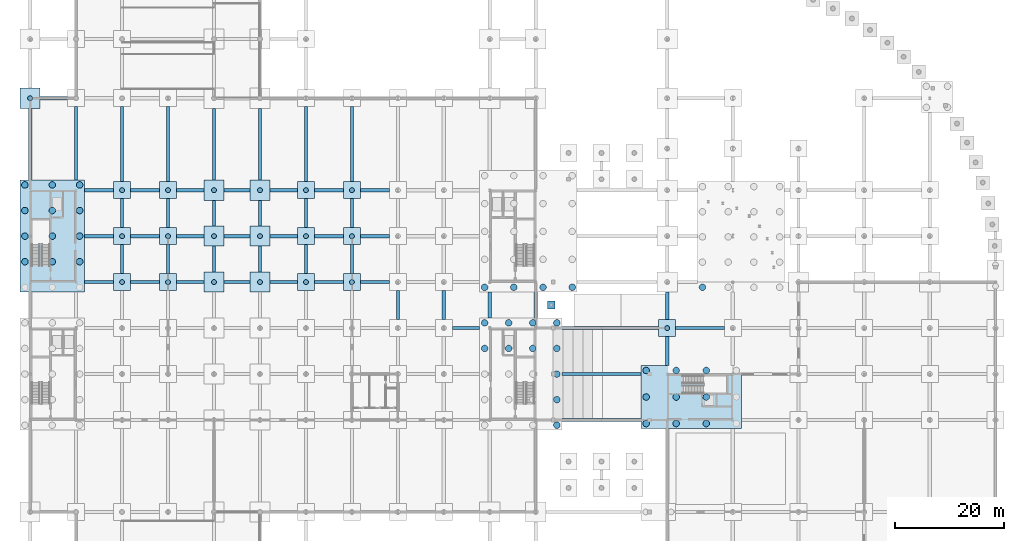
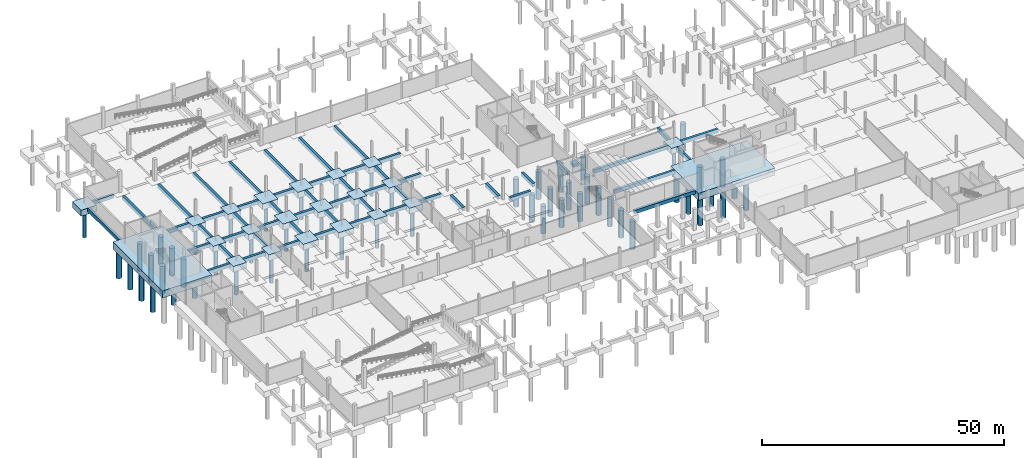
# One storey, part 3 of 36: 76 footings, 57 piles.
"""IFC4 building model written with IfcOpenShell, lengths in metres."""

from ifc_helpers import new_model, si_unit, direction, frame, origin, origin_2d, place, context, subcontext, project, spatial, rectangle, circle, extrude, material, material_profile, profile_set, type_object, element, save


model = new_model("IFC4")

# Units and contexts
model_context = context("Model", 3, precision=1e-05, world=origin(), true_north=direction((0.0, 1.0)))
body_context = subcontext(model_context, "Body", "Model", "MODEL_VIEW")
ifc_project = project(units=[si_unit("LENGTHUNIT", "METRE"), si_unit("AREAUNIT", "SQUARE_METRE"), si_unit("VOLUMEUNIT", "CUBIC_METRE"), si_unit("PLANEANGLEUNIT", "RADIAN"), si_unit("MASSUNIT", "GRAM", prefix="KILO"), si_unit("THERMODYNAMICTEMPERATUREUNIT", "KELVIN"), si_unit("POWERUNIT", "WATT")], contexts=[model_context])

# Site, building, storey
site_placement = place(None, origin())
site = spatial("IfcSite", under=ifc_project, at=site_placement, CompositionType="ELEMENT")
building_placement = place(site_placement, origin())
building = spatial("IfcBuilding", under=site, at=building_placement, Name="Tembeka Court Mobility Hub", CompositionType="ELEMENT")
storey_placement = place(building_placement, frame((0.0, 0.0, -5.39990234375)))
storey = spatial("IfcBuildingStorey", under=building, at=storey_placement, Name="B1", CompositionType="ELEMENT", Elevation=-5.39990234375)

# Footings
ifc_material = material(Name="Concrete C40/50", Category="concrete")
footing_type_1 = type_object("IfcFootingType", Name="FT-GB01", PredefinedType="FOOTING_BEAM", material=ifc_material)
for number, where, z_axis, x_axis, name in (
    (1, (104.39990234375, 38.39990234375, -0.900146484375), (0.0, 0.0, 1.0), (1.0, 0.0, 0.0), "Ground tie beam GB01 X-052"),
    (2, (104.39990234375, 46.800048828125, -0.900146484375), (0.0, 0.0, 1.0), (1.0, 0.0, 0.0), "Ground tie beam GB01 X-066"),
):
    element("IfcFooting", number, at=place(storey_placement, frame(where, z_axis=z_axis, x_axis=x_axis)), inside=storey, type_object=footing_type_1, Name=name, PredefinedType="FOOTING_BEAM", context=body_context, shape_type="SweptSolid", body=[
        extrude(rectangle(XDim=14.5, YDim=0.60009765625, at=origin_2d()), origin(), (0.0, 0.0, 1.0), 0.89990234375),
    ])
footing_1_placement = place(storey_placement, frame((79.64990234375, 55.199951171875, -0.900146484375), z_axis=(0.0, 0.0, 1.0), x_axis=(1.0, 0.0, 0.0)))
element("IfcFooting", 3, at=footing_1_placement, inside=storey, type_object=footing_type_1, Name="Ground tie beam GB01 X-079", PredefinedType="FOOTING_BEAM", context=body_context, shape_type="SweptSolid", body=[
    extrude(rectangle(XDim=5.0, YDim=0.60009765625, at=origin_2d()), origin(), (0.0, 0.0, 1.0), 0.89990234375),
])
footing_2_placement = place(storey_placement, frame((106.0, 55.199951171875, -0.900146484375), z_axis=(0.0, 0.0, 1.0), x_axis=(1.0, 0.0, 0.0)))
element("IfcFooting", 4, at=footing_2_placement, inside=storey, type_object=footing_type_1, Name="Ground tie beam GB01 X-080", PredefinedType="FOOTING_BEAM", context=body_context, shape_type="SweptSolid", body=[
    extrude(rectangle(XDim=17.699951171875, YDim=0.60009765625, at=origin_2d()), origin(), (0.0, 0.0, 1.0), 0.89990234375),
])
footing_3_placement = place(storey_placement, frame((122.39990234375, 55.199951171875, -0.900146484375), z_axis=(0.0, 0.0, 1.0), x_axis=(1.0, 0.0, 0.0)))
element("IfcFooting", 5, at=footing_3_placement, inside=storey, type_object=footing_type_1, Name="Ground tie beam GB01 X-081", PredefinedType="FOOTING_BEAM", context=body_context, shape_type="SweptSolid", body=[
    extrude(rectangle(XDim=8.89990234375, YDim=0.60009765625, at=origin_2d()), origin(), (0.0, 0.0, 1.0), 0.89990234375),
])
for number, where, z_axis, x_axis, name in (
    (6, (12.60009765625, 63.60009765625, -0.900146484375), (0.0, 0.0, 1.0), (1.0, 0.0, 0.0), "Ground tie beam GB01 X-086"),
    (7, (21.0, 63.60009765625, -0.900146484375), (0.0, 0.0, 1.0), (1.0, 0.0, 0.0), "Ground tie beam GB01 X-087"),
):
    element("IfcFooting", number, at=place(storey_placement, frame(where, z_axis=z_axis, x_axis=x_axis)), inside=storey, type_object=footing_type_1, Name=name, PredefinedType="FOOTING_BEAM", context=body_context, shape_type="SweptSolid", body=[
        extrude(rectangle(XDim=5.300048828125, YDim=0.60009765625, at=origin_2d()), origin(), (0.0, 0.0, 1.0), 0.89990234375),
    ])
footing_4_placement = place(storey_placement, frame((29.25, 63.60009765625, -0.900146484375), z_axis=(0.0, 0.0, 1.0), x_axis=(1.0, 0.0, 0.0)))
element("IfcFooting", 8, at=footing_4_placement, inside=storey, type_object=footing_type_1, Name="Ground tie beam GB01 X-088", PredefinedType="FOOTING_BEAM", context=body_context, shape_type="SweptSolid", body=[
    extrude(rectangle(XDim=5.0, YDim=0.60009765625, at=origin_2d()), origin(), (0.0, 0.0, 1.0), 0.89990234375),
])
footing_5_placement = place(storey_placement, frame((37.800048828125, 63.60009765625, -0.900146484375), z_axis=(0.0, 0.0, 1.0), x_axis=(1.0, 0.0, 0.0)))
element("IfcFooting", 9, at=footing_5_placement, inside=storey, type_object=footing_type_1, Name="Ground tie beam GB01 X-089", PredefinedType="FOOTING_BEAM", context=body_context, shape_type="SweptSolid", body=[
    extrude(rectangle(XDim=4.699951171875, YDim=0.60009765625, at=origin_2d()), origin(), (0.0, 0.0, 1.0), 0.89990234375),
])
footing_6_placement = place(storey_placement, frame((46.35009765625, 63.60009765625, -0.900146484375), z_axis=(0.0, 0.0, 1.0), x_axis=(1.0, 0.0, 0.0)))
element("IfcFooting", 10, at=footing_6_placement, inside=storey, type_object=footing_type_1, Name="Ground tie beam GB01 X-090", PredefinedType="FOOTING_BEAM", context=body_context, shape_type="SweptSolid", body=[
    extrude(rectangle(XDim=5.0, YDim=0.60009765625, at=origin_2d()), origin(), (0.0, 0.0, 1.0), 0.89990234375),
])
for number, where, z_axis, x_axis, name in (
    (11, (54.60009765625, 63.60009765625, -0.900146484375), (0.0, 0.0, 1.0), (1.0, 0.0, 0.0), "Ground tie beam GB01 X-091"),
    (12, (63.0, 63.60009765625, -0.900146484375), (0.0, 0.0, 1.0), (1.0, 0.0, 0.0), "Ground tie beam GB01 X-092"),
    (13, (12.60009765625, 72.0, -0.900146484375), (0.0, 0.0, 1.0), (1.0, 0.0, 0.0), "Ground tie beam GB01 X-100"),
    (14, (21.0, 72.0, -0.900146484375), (0.0, 0.0, 1.0), (1.0, 0.0, 0.0), "Ground tie beam GB01 X-101"),
):
    element("IfcFooting", number, at=place(storey_placement, frame(where, z_axis=z_axis, x_axis=x_axis)), inside=storey, type_object=footing_type_1, Name=name, PredefinedType="FOOTING_BEAM", context=body_context, shape_type="SweptSolid", body=[
        extrude(rectangle(XDim=5.300048828125, YDim=0.60009765625, at=origin_2d()), origin(), (0.0, 0.0, 1.0), 0.89990234375),
    ])
footing_7_placement = place(storey_placement, frame((29.25, 72.0, -0.900146484375), z_axis=(0.0, 0.0, 1.0), x_axis=(1.0, 0.0, 0.0)))
element("IfcFooting", 15, at=footing_7_placement, inside=storey, type_object=footing_type_1, Name="Ground tie beam GB01 X-102", PredefinedType="FOOTING_BEAM", context=body_context, shape_type="SweptSolid", body=[
    extrude(rectangle(XDim=5.0, YDim=0.60009765625, at=origin_2d()), origin(), (0.0, 0.0, 1.0), 0.89990234375),
])
footing_8_placement = place(storey_placement, frame((37.800048828125, 72.0, -0.900146484375), z_axis=(0.0, 0.0, 1.0), x_axis=(1.0, 0.0, 0.0)))
element("IfcFooting", 16, at=footing_8_placement, inside=storey, type_object=footing_type_1, Name="Ground tie beam GB01 X-103", PredefinedType="FOOTING_BEAM", context=body_context, shape_type="SweptSolid", body=[
    extrude(rectangle(XDim=4.699951171875, YDim=0.60009765625, at=origin_2d()), origin(), (0.0, 0.0, 1.0), 0.89990234375),
])
footing_9_placement = place(storey_placement, frame((46.35009765625, 72.0, -0.900146484375), z_axis=(0.0, 0.0, 1.0), x_axis=(1.0, 0.0, 0.0)))
element("IfcFooting", 17, at=footing_9_placement, inside=storey, type_object=footing_type_1, Name="Ground tie beam GB01 X-104", PredefinedType="FOOTING_BEAM", context=body_context, shape_type="SweptSolid", body=[
    extrude(rectangle(XDim=5.0, YDim=0.60009765625, at=origin_2d()), origin(), (0.0, 0.0, 1.0), 0.89990234375),
])
for number, where, z_axis, x_axis, name in (
    (18, (54.60009765625, 72.0, -0.900146484375), (0.0, 0.0, 1.0), (1.0, 0.0, 0.0), "Ground tie beam GB01 X-105"),
    (19, (63.0, 72.0, -0.900146484375), (0.0, 0.0, 1.0), (1.0, 0.0, 0.0), "Ground tie beam GB01 X-106"),
    (20, (12.60009765625, 80.39990234375, -0.900146484375), (0.0, 0.0, 1.0), (1.0, 0.0, 0.0), "Ground tie beam GB01 X-114"),
    (21, (21.0, 80.39990234375, -0.900146484375), (0.0, 0.0, 1.0), (1.0, 0.0, 0.0), "Ground tie beam GB01 X-115"),
):
    element("IfcFooting", number, at=place(storey_placement, frame(where, z_axis=z_axis, x_axis=x_axis)), inside=storey, type_object=footing_type_1, Name=name, PredefinedType="FOOTING_BEAM", context=body_context, shape_type="SweptSolid", body=[
        extrude(rectangle(XDim=5.300048828125, YDim=0.60009765625, at=origin_2d()), origin(), (0.0, 0.0, 1.0), 0.89990234375),
    ])
footing_10_placement = place(storey_placement, frame((29.25, 80.39990234375, -0.900146484375), z_axis=(0.0, 0.0, 1.0), x_axis=(1.0, 0.0, 0.0)))
element("IfcFooting", 22, at=footing_10_placement, inside=storey, type_object=footing_type_1, Name="Ground tie beam GB01 X-116", PredefinedType="FOOTING_BEAM", context=body_context, shape_type="SweptSolid", body=[
    extrude(rectangle(XDim=5.0, YDim=0.60009765625, at=origin_2d()), origin(), (0.0, 0.0, 1.0), 0.89990234375),
])
footing_11_placement = place(storey_placement, frame((37.800048828125, 80.39990234375, -0.900146484375), z_axis=(0.0, 0.0, 1.0), x_axis=(1.0, 0.0, 0.0)))
element("IfcFooting", 23, at=footing_11_placement, inside=storey, type_object=footing_type_1, Name="Ground tie beam GB01 X-117", PredefinedType="FOOTING_BEAM", context=body_context, shape_type="SweptSolid", body=[
    extrude(rectangle(XDim=4.699951171875, YDim=0.60009765625, at=origin_2d()), origin(), (0.0, 0.0, 1.0), 0.89990234375),
])
footing_12_placement = place(storey_placement, frame((46.35009765625, 80.39990234375, -0.900146484375), z_axis=(0.0, 0.0, 1.0), x_axis=(1.0, 0.0, 0.0)))
element("IfcFooting", 24, at=footing_12_placement, inside=storey, type_object=footing_type_1, Name="Ground tie beam GB01 X-118", PredefinedType="FOOTING_BEAM", context=body_context, shape_type="SweptSolid", body=[
    extrude(rectangle(XDim=5.0, YDim=0.60009765625, at=origin_2d()), origin(), (0.0, 0.0, 1.0), 0.89990234375),
])
for number, where, z_axis, x_axis, name in (
    (25, (54.60009765625, 80.39990234375, -0.900146484375), (0.0, 0.0, 1.0), (1.0, 0.0, 0.0), "Ground tie beam GB01 X-119"),
    (26, (63.0, 80.39990234375, -0.900146484375), (0.0, 0.0, 1.0), (1.0, 0.0, 0.0), "Ground tie beam GB01 X-120"),
):
    element("IfcFooting", number, at=place(storey_placement, frame(where, z_axis=z_axis, x_axis=x_axis)), inside=storey, type_object=footing_type_1, Name=name, PredefinedType="FOOTING_BEAM", context=body_context, shape_type="SweptSolid", body=[
        extrude(rectangle(XDim=5.300048828125, YDim=0.60009765625, at=origin_2d()), origin(), (0.0, 0.0, 1.0), 0.89990234375),
    ])
footing_13_placement = place(storey_placement, frame((4.35009765625, 97.199951171875, -0.900146484375), z_axis=(0.0, 0.0, 1.0), x_axis=(1.0, 0.0, 0.0)))
element("IfcFooting", 27, at=footing_13_placement, inside=storey, type_object=footing_type_1, Name="Ground tie beam GB01 X-128", PredefinedType="FOOTING_BEAM", context=body_context, shape_type="SweptSolid", body=[
    extrude(rectangle(XDim=5.0, YDim=0.60009765625, at=origin_2d()), origin(), (0.0, 0.0, 1.0), 0.89990234375),
])
footing_14_placement = place(storey_placement, frame((0.0, 88.800048828125, -0.900146484375), z_axis=(0.0, 0.0, 1.0), x_axis=(0.0, 1.0, 0.0)))
element("IfcFooting", 28, at=footing_14_placement, inside=storey, type_object=footing_type_1, Name="Ground tie beam GB01 Y-165", PredefinedType="FOOTING_BEAM", context=body_context, shape_type="SweptSolid", body=[
    extrude(rectangle(XDim=13.10009765625, YDim=0.60009765625, at=origin_2d()), origin(), (0.0, 0.0, 1.0), 0.89990234375),
])
footing_15_placement = place(storey_placement, frame((8.39990234375, 88.949951171875, -0.900146484375), z_axis=(0.0, 0.0, 1.0), x_axis=(0.0, 1.0, 0.0)))
element("IfcFooting", 29, at=footing_15_placement, inside=storey, type_object=footing_type_1, Name="Ground tie beam GB01 Y-172", PredefinedType="FOOTING_BEAM", context=body_context, shape_type="SweptSolid", body=[
    extrude(rectangle(XDim=13.39990234375, YDim=0.60009765625, at=origin_2d()), origin(), (0.0, 0.0, 1.0), 0.89990234375),
])
for number, where, z_axis, x_axis, name in (
    (30, (16.800048828125, 67.800048828125, -0.900146484375), (0.0, 0.0, 1.0), (0.0, 1.0, 0.0), "Ground tie beam GB01 Y-181"),
    (31, (16.800048828125, 76.199951171875, -0.900146484375), (0.0, 0.0, 1.0), (0.0, 1.0, 0.0), "Ground tie beam GB01 Y-182"),
):
    element("IfcFooting", number, at=place(storey_placement, frame(where, z_axis=z_axis, x_axis=x_axis)), inside=storey, type_object=footing_type_1, Name=name, PredefinedType="FOOTING_BEAM", context=body_context, shape_type="SweptSolid", body=[
        extrude(rectangle(XDim=5.300048828125, YDim=0.60009765625, at=origin_2d()), origin(), (0.0, 0.0, 1.0), 0.89990234375),
    ])
footing_16_placement = place(storey_placement, frame((16.800048828125, 88.800048828125, -0.900146484375), z_axis=(0.0, 0.0, 1.0), x_axis=(0.0, 1.0, 0.0)))
element("IfcFooting", 32, at=footing_16_placement, inside=storey, type_object=footing_type_1, Name="Ground tie beam GB01 Y-183", PredefinedType="FOOTING_BEAM", context=body_context, shape_type="SweptSolid", body=[
    extrude(rectangle(XDim=13.699951171875, YDim=0.60009765625, at=origin_2d()), origin(), (0.0, 0.0, 1.0), 0.89990234375),
])
for number, where, z_axis, x_axis, name in (
    (33, (25.199951171875, 67.800048828125, -0.900146484375), (0.0, 0.0, 1.0), (0.0, 1.0, 0.0), "Ground tie beam GB01 Y-190"),
    (34, (25.199951171875, 76.199951171875, -0.900146484375), (0.0, 0.0, 1.0), (0.0, 1.0, 0.0), "Ground tie beam GB01 Y-191"),
):
    element("IfcFooting", number, at=place(storey_placement, frame(where, z_axis=z_axis, x_axis=x_axis)), inside=storey, type_object=footing_type_1, Name=name, PredefinedType="FOOTING_BEAM", context=body_context, shape_type="SweptSolid", body=[
        extrude(rectangle(XDim=5.300048828125, YDim=0.60009765625, at=origin_2d()), origin(), (0.0, 0.0, 1.0), 0.89990234375),
    ])
footing_17_placement = place(storey_placement, frame((25.199951171875, 88.800048828125, -0.900146484375), z_axis=(0.0, 0.0, 1.0), x_axis=(0.0, 1.0, 0.0)))
element("IfcFooting", 35, at=footing_17_placement, inside=storey, type_object=footing_type_1, Name="Ground tie beam GB01 Y-192", PredefinedType="FOOTING_BEAM", context=body_context, shape_type="SweptSolid", body=[
    extrude(rectangle(XDim=13.699951171875, YDim=0.60009765625, at=origin_2d()), origin(), (0.0, 0.0, 1.0), 0.89990234375),
])
for number, where, z_axis, x_axis, name in (
    (36, (33.60009765625, 67.800048828125, -0.900146484375), (0.0, 0.0, 1.0), (0.0, 1.0, 0.0), "Ground tie beam GB01 Y-199"),
    (37, (33.60009765625, 76.199951171875, -0.900146484375), (0.0, 0.0, 1.0), (0.0, 1.0, 0.0), "Ground tie beam GB01 Y-200"),
):
    element("IfcFooting", number, at=place(storey_placement, frame(where, z_axis=z_axis, x_axis=x_axis)), inside=storey, type_object=footing_type_1, Name=name, PredefinedType="FOOTING_BEAM", context=body_context, shape_type="SweptSolid", body=[
        extrude(rectangle(XDim=4.699951171875, YDim=0.60009765625, at=origin_2d()), origin(), (0.0, 0.0, 1.0), 0.89990234375),
    ])
footing_18_placement = place(storey_placement, frame((33.60009765625, 88.800048828125, -0.900146484375), z_axis=(0.0, 0.0, 1.0), x_axis=(0.0, 1.0, 0.0)))
element("IfcFooting", 38, at=footing_18_placement, inside=storey, type_object=footing_type_1, Name="Ground tie beam GB01 Y-201", PredefinedType="FOOTING_BEAM", context=body_context, shape_type="SweptSolid", body=[
    extrude(rectangle(XDim=13.10009765625, YDim=0.60009765625, at=origin_2d()), origin(), (0.0, 0.0, 1.0), 0.89990234375),
])
for number, where, z_axis, x_axis, name in (
    (39, (42.0, 67.800048828125, -0.900146484375), (0.0, 0.0, 1.0), (0.0, 1.0, 0.0), "Ground tie beam GB01 Y-210"),
    (40, (42.0, 76.199951171875, -0.900146484375), (0.0, 0.0, 1.0), (0.0, 1.0, 0.0), "Ground tie beam GB01 Y-211"),
):
    element("IfcFooting", number, at=place(storey_placement, frame(where, z_axis=z_axis, x_axis=x_axis)), inside=storey, type_object=footing_type_1, Name=name, PredefinedType="FOOTING_BEAM", context=body_context, shape_type="SweptSolid", body=[
        extrude(rectangle(XDim=4.699951171875, YDim=0.60009765625, at=origin_2d()), origin(), (0.0, 0.0, 1.0), 0.89990234375),
    ])
footing_19_placement = place(storey_placement, frame((42.0, 88.800048828125, -0.900146484375), z_axis=(0.0, 0.0, 1.0), x_axis=(0.0, 1.0, 0.0)))
element("IfcFooting", 41, at=footing_19_placement, inside=storey, type_object=footing_type_1, Name="Ground tie beam GB01 Y-212", PredefinedType="FOOTING_BEAM", context=body_context, shape_type="SweptSolid", body=[
    extrude(rectangle(XDim=13.10009765625, YDim=0.60009765625, at=origin_2d()), origin(), (0.0, 0.0, 1.0), 0.89990234375),
])
for number, where, z_axis, x_axis, name in (
    (42, (50.39990234375, 67.800048828125, -0.900146484375), (0.0, 0.0, 1.0), (0.0, 1.0, 0.0), "Ground tie beam GB01 Y-221"),
    (43, (50.39990234375, 76.199951171875, -0.900146484375), (0.0, 0.0, 1.0), (0.0, 1.0, 0.0), "Ground tie beam GB01 Y-222"),
):
    element("IfcFooting", number, at=place(storey_placement, frame(where, z_axis=z_axis, x_axis=x_axis)), inside=storey, type_object=footing_type_1, Name=name, PredefinedType="FOOTING_BEAM", context=body_context, shape_type="SweptSolid", body=[
        extrude(rectangle(XDim=5.300048828125, YDim=0.60009765625, at=origin_2d()), origin(), (0.0, 0.0, 1.0), 0.89990234375),
    ])
footing_20_placement = place(storey_placement, frame((50.39990234375, 88.800048828125, -0.900146484375), z_axis=(0.0, 0.0, 1.0), x_axis=(0.0, 1.0, 0.0)))
element("IfcFooting", 44, at=footing_20_placement, inside=storey, type_object=footing_type_1, Name="Ground tie beam GB01 Y-223", PredefinedType="FOOTING_BEAM", context=body_context, shape_type="SweptSolid", body=[
    extrude(rectangle(XDim=13.699951171875, YDim=0.60009765625, at=origin_2d()), origin(), (0.0, 0.0, 1.0), 0.89990234375),
])
for number, where, z_axis, x_axis, name in (
    (45, (58.800048828125, 67.800048828125, -0.900146484375), (0.0, 0.0, 1.0), (0.0, 1.0, 0.0), "Ground tie beam GB01 Y-230"),
    (46, (58.800048828125, 76.199951171875, -0.900146484375), (0.0, 0.0, 1.0), (0.0, 1.0, 0.0), "Ground tie beam GB01 Y-231"),
):
    element("IfcFooting", number, at=place(storey_placement, frame(where, z_axis=z_axis, x_axis=x_axis)), inside=storey, type_object=footing_type_1, Name=name, PredefinedType="FOOTING_BEAM", context=body_context, shape_type="SweptSolid", body=[
        extrude(rectangle(XDim=5.300048828125, YDim=0.60009765625, at=origin_2d()), origin(), (0.0, 0.0, 1.0), 0.89990234375),
    ])
footing_21_placement = place(storey_placement, frame((58.800048828125, 88.800048828125, -0.900146484375), z_axis=(0.0, 0.0, 1.0), x_axis=(0.0, 1.0, 0.0)))
element("IfcFooting", 47, at=footing_21_placement, inside=storey, type_object=footing_type_1, Name="Ground tie beam GB01 Y-232", PredefinedType="FOOTING_BEAM", context=body_context, shape_type="SweptSolid", body=[
    extrude(rectangle(XDim=13.699951171875, YDim=0.60009765625, at=origin_2d()), origin(), (0.0, 0.0, 1.0), 0.89990234375),
])
for number, where, z_axis, x_axis, name in (
    (48, (67.199951171875, 59.39990234375, -0.900146484375), (0.0, 0.0, 1.0), (0.0, 1.0, 0.0), "Ground tie beam GB01 Y-236"),
    (49, (75.60009765625, 59.39990234375, -0.900146484375), (0.0, 0.0, 1.0), (0.0, 1.0, 0.0), "Ground tie beam GB01 Y-243"),
):
    element("IfcFooting", number, at=place(storey_placement, frame(where, z_axis=z_axis, x_axis=x_axis)), inside=storey, type_object=footing_type_1, Name=name, PredefinedType="FOOTING_BEAM", context=body_context, shape_type="SweptSolid", body=[
        extrude(rectangle(XDim=5.300048828125, YDim=0.60009765625, at=origin_2d()), origin(), (0.0, 0.0, 1.0), 0.89990234375),
    ])
for number, where, z_axis, x_axis, name in (
    (50, (84.0, 59.39990234375, -0.900146484375), (0.0, 0.0, 1.0), (0.0, 1.0, 0.0), "Ground tie beam GB01 Y-250"),
    (51, (92.39990234375, 59.39990234375, -0.900146484375), (0.0, 0.0, 1.0), (0.0, 1.0, 0.0), "Ground tie beam GB01 Y-257"),
):
    element("IfcFooting", number, at=place(storey_placement, frame(where, z_axis=z_axis, x_axis=x_axis)), inside=storey, type_object=footing_type_1, Name=name, PredefinedType="FOOTING_BEAM", context=body_context, shape_type="SweptSolid", body=[
        extrude(rectangle(XDim=4.699951171875, YDim=0.60009765625, at=origin_2d()), origin(), (0.0, 0.0, 1.0), 0.89990234375),
    ])
footing_22_placement = place(storey_placement, frame((116.39990234375, 51.0, -0.900146484375), z_axis=(0.0, 0.0, 1.0), x_axis=(0.0, 1.0, 0.0)))
element("IfcFooting", 52, at=footing_22_placement, inside=storey, type_object=footing_type_1, Name="Ground tie beam GB01 Y-266", PredefinedType="FOOTING_BEAM", context=body_context, shape_type="SweptSolid", body=[
    extrude(rectangle(XDim=5.300048828125, YDim=0.60009765625, at=origin_2d()), origin(), (0.0, 0.0, 1.0), 0.89990234375),
])
footing_23_placement = place(storey_placement, frame((116.39990234375, 59.25, -0.900146484375), z_axis=(0.0, 0.0, 1.0), x_axis=(0.0, 1.0, 0.0)))
element("IfcFooting", 53, at=footing_23_placement, inside=storey, type_object=footing_type_1, Name="Ground tie beam GB01 Y-267", PredefinedType="FOOTING_BEAM", context=body_context, shape_type="SweptSolid", body=[
    extrude(rectangle(XDim=5.0, YDim=0.60009765625, at=origin_2d()), origin(), (0.0, 0.0, 1.0), 0.89990234375),
])
footing_type_2 = type_object("IfcFootingType", Name="FT-PC01", PredefinedType="PILE_CAP", material=ifc_material)
for number, where, z_axis, x_axis, name in (
    (54, (0.0, 97.199951171875, -1.5), (0.0, 0.0, 1.0), (1.0, 0.0, 0.0), "Pile cap PC01 (6)"),
    (55, (33.60009765625, 63.60009765625, -1.5), (0.0, 0.0, 1.0), (1.0, 0.0, 0.0), "Pile cap PC01 (43)"),
    (56, (33.60009765625, 72.0, -1.5), (0.0, 0.0, 1.0), (1.0, 0.0, 0.0), "Pile cap PC01 (44)"),
    (57, (33.60009765625, 80.39990234375, -1.5), (0.0, 0.0, 1.0), (1.0, 0.0, 0.0), "Pile cap PC01 (45)"),
    (58, (42.0, 63.60009765625, -1.5), (0.0, 0.0, 1.0), (1.0, 0.0, 0.0), "Pile cap PC01 (55)"),
    (59, (42.0, 72.0, -1.5), (0.0, 0.0, 1.0), (1.0, 0.0, 0.0), "Pile cap PC01 (56)"),
    (60, (42.0, 80.39990234375, -1.5), (0.0, 0.0, 1.0), (1.0, 0.0, 0.0), "Pile cap PC01 (57)"),
):
    element("IfcFooting", number, at=place(storey_placement, frame(where, z_axis=z_axis, x_axis=x_axis)), inside=storey, type_object=footing_type_2, Name=name, PredefinedType="PILE_CAP", context=body_context, shape_type="SweptSolid", body=[
        extrude(rectangle(XDim=3.699951171875, YDim=3.699951171875, at=origin_2d()), origin(), (0.0, 0.0, 1.0), 1.5),
    ])
footing_type_3 = type_object("IfcFootingType", Name="FT-PC02", PredefinedType="PILE_CAP", material=ifc_material)
footing_24_placement = place(storey_placement, frame((4.050048828125, 72.0, -1.80029296875), z_axis=(0.0, 0.0, 1.0), x_axis=(0.0, 1.0, 0.0)))
element("IfcFooting", 61, at=footing_24_placement, inside=storey, type_object=footing_type_3, Name="Pile cap PC02 (5)", PredefinedType="PILE_CAP", context=body_context, shape_type="SweptSolid", body=[
    extrude(rectangle(XDim=20.5, YDim=11.800048828125, at=origin_2d()), origin(), (0.0, 0.0, 1.0), 1.800048828125),
])
footing_type_4 = type_object("IfcFootingType", Name="FT-PC03", PredefinedType="PILE_CAP", material=ifc_material)
for number, where, z_axis, x_axis, name in (
    (62, (16.800048828125, 63.60009765625, -1.5), (0.0, 0.0, 1.0), (1.0, 0.0, 0.0), "Pile cap PC03 (21)"),
    (63, (16.800048828125, 72.0, -1.5), (0.0, 0.0, 1.0), (1.0, 0.0, 0.0), "Pile cap PC03 (22)"),
    (64, (16.800048828125, 80.39990234375, -1.5), (0.0, 0.0, 1.0), (1.0, 0.0, 0.0), "Pile cap PC03 (23)"),
    (65, (25.199951171875, 63.60009765625, -1.5), (0.0, 0.0, 1.0), (1.0, 0.0, 0.0), "Pile cap PC03 (32)"),
    (66, (25.199951171875, 72.0, -1.5), (0.0, 0.0, 1.0), (1.0, 0.0, 0.0), "Pile cap PC03 (33)"),
    (67, (25.199951171875, 80.39990234375, -1.5), (0.0, 0.0, 1.0), (1.0, 0.0, 0.0), "Pile cap PC03 (34)"),
    (68, (50.39990234375, 63.60009765625, -1.5), (0.0, 0.0, 1.0), (1.0, 0.0, 0.0), "Pile cap PC03 (67)"),
    (69, (50.39990234375, 72.0, -1.5), (0.0, 0.0, 1.0), (1.0, 0.0, 0.0), "Pile cap PC03 (68)"),
    (70, (50.39990234375, 80.39990234375, -1.5), (0.0, 0.0, 1.0), (1.0, 0.0, 0.0), "Pile cap PC03 (69)"),
    (71, (58.800048828125, 63.60009765625, -1.5), (0.0, 0.0, 1.0), (1.0, 0.0, 0.0), "Pile cap PC03 (78)"),
    (72, (58.800048828125, 72.0, -1.5), (0.0, 0.0, 1.0), (1.0, 0.0, 0.0), "Pile cap PC03 (79)"),
    (73, (58.800048828125, 80.39990234375, -1.5), (0.0, 0.0, 1.0), (1.0, 0.0, 0.0), "Pile cap PC03 (80)"),
    (74, (116.39990234375, 55.199951171875, -1.5), (0.0, 0.0, 1.0), (1.0, 0.0, 0.0), "Pile cap PC03 (139)"),
):
    element("IfcFooting", number, at=place(storey_placement, frame(where, z_axis=z_axis, x_axis=x_axis)), inside=storey, type_object=footing_type_4, Name=name, PredefinedType="PILE_CAP", context=body_context, shape_type="SweptSolid", body=[
        extrude(rectangle(XDim=3.10009765625, YDim=3.10009765625, at=origin_2d()), origin(), (0.0, 0.0, 1.0), 1.5),
    ])
footing_type_5 = type_object("IfcFootingType", Name="FT-PC07", PredefinedType="PILE_CAP", material=ifc_material)
footing_25_placement = place(storey_placement, frame((120.800048828125, 42.60009765625, -1.80029296875), z_axis=(0.0, 0.0, 1.0), x_axis=(1.0, 0.0, 0.0)))
element("IfcFooting", 75, at=footing_25_placement, inside=storey, type_object=footing_type_5, Name="Pile cap PC07 (129)", PredefinedType="PILE_CAP", context=body_context, shape_type="SweptSolid", body=[
    extrude(rectangle(XDim=18.300048828125, YDim=11.5, at=origin_2d()), origin(), (0.0, 0.0, 1.0), 1.800048828125),
])
footing_type_6 = type_object("IfcFootingType", Name="FT-PD01", PredefinedType="PAD_FOOTING", material=ifc_material)
footing_26_placement = place(storey_placement, frame((95.199951171875, 59.39990234375, -0.75), z_axis=(0.0, 0.0, 1.0), x_axis=(1.0, 0.0, 0.0)))
element("IfcFooting", 76, at=footing_26_placement, inside=storey, type_object=footing_type_6, Name="Pad footing PD01-01", PredefinedType="PAD_FOOTING", context=body_context, shape_type="SweptSolid", body=[
    extrude(rectangle(XDim=1.39990234375, YDim=1.39990234375, at=origin_2d()), origin(), (0.0, 0.0, 1.0), 0.75),
])

# Piles
ifc_material_profile_1 = material_profile(ifc_material, circle(Radius=0.449951171875, at=origin_2d()), Name="PILE D900")
ifc_profile_set_1 = profile_set([ifc_material_profile_1], Name="Concrete C40/50")
pile_type_1 = type_object("IfcPileType", Name="PILE-P02", PredefinedType="BORED", material=ifc_profile_set_1)
for number, where, z_axis, x_axis, name in (
    (77, (0.0, 97.199951171875, -1.400146484375), (0.0, 0.0, -1.0), (1.0, 0.0, 0.0), "Bored pile P02 under CAP-006"),
    (78, (16.800048828125, 63.60009765625, -1.400146484375), (0.0, 0.0, -1.0), (1.0, 0.0, 0.0), "Bored pile P02 under CAP-021"),
    (79, (16.800048828125, 72.0, -1.400146484375), (0.0, 0.0, -1.0), (1.0, 0.0, 0.0), "Bored pile P02 under CAP-022"),
    (80, (16.800048828125, 80.39990234375, -1.400146484375), (0.0, 0.0, -1.0), (1.0, 0.0, 0.0), "Bored pile P02 under CAP-023"),
    (81, (25.199951171875, 63.60009765625, -1.400146484375), (0.0, 0.0, -1.0), (1.0, 0.0, 0.0), "Bored pile P02 under CAP-032"),
    (82, (25.199951171875, 72.0, -1.400146484375), (0.0, 0.0, -1.0), (1.0, 0.0, 0.0), "Bored pile P02 under CAP-033"),
    (83, (25.199951171875, 80.39990234375, -1.400146484375), (0.0, 0.0, -1.0), (1.0, 0.0, 0.0), "Bored pile P02 under CAP-034"),
    (84, (33.60009765625, 63.60009765625, -1.400146484375), (0.0, 0.0, -1.0), (1.0, 0.0, 0.0), "Bored pile P02 under CAP-043"),
    (85, (33.60009765625, 72.0, -1.400146484375), (0.0, 0.0, -1.0), (1.0, 0.0, 0.0), "Bored pile P02 under CAP-044"),
    (86, (33.60009765625, 80.39990234375, -1.400146484375), (0.0, 0.0, -1.0), (1.0, 0.0, 0.0), "Bored pile P02 under CAP-045"),
    (87, (42.0, 63.60009765625, -1.400146484375), (0.0, 0.0, -1.0), (1.0, 0.0, 0.0), "Bored pile P02 under CAP-055"),
    (88, (42.0, 72.0, -1.400146484375), (0.0, 0.0, -1.0), (1.0, 0.0, 0.0), "Bored pile P02 under CAP-056"),
    (89, (42.0, 80.39990234375, -1.400146484375), (0.0, 0.0, -1.0), (1.0, 0.0, 0.0), "Bored pile P02 under CAP-057"),
    (90, (50.39990234375, 63.60009765625, -1.400146484375), (0.0, 0.0, -1.0), (1.0, 0.0, 0.0), "Bored pile P02 under CAP-067"),
    (91, (50.39990234375, 72.0, -1.400146484375), (0.0, 0.0, -1.0), (1.0, 0.0, 0.0), "Bored pile P02 under CAP-068"),
    (92, (50.39990234375, 80.39990234375, -1.400146484375), (0.0, 0.0, -1.0), (1.0, 0.0, 0.0), "Bored pile P02 under CAP-069"),
    (93, (58.800048828125, 63.60009765625, -1.400146484375), (0.0, 0.0, -1.0), (1.0, 0.0, 0.0), "Bored pile P02 under CAP-078"),
    (94, (58.800048828125, 72.0, -1.400146484375), (0.0, 0.0, -1.0), (1.0, 0.0, 0.0), "Bored pile P02 under CAP-079"),
    (95, (58.800048828125, 80.39990234375, -1.400146484375), (0.0, 0.0, -1.0), (1.0, 0.0, 0.0), "Bored pile P02 under CAP-080"),
    (96, (116.39990234375, 55.199951171875, -1.400146484375), (0.0, 0.0, -1.0), (1.0, 0.0, 0.0), "Bored pile P02 under CAP-139"),
):
    element("IfcPile", number, at=place(storey_placement, frame(where, z_axis=z_axis, x_axis=x_axis)), inside=storey, type_object=pile_type_1, Name=name, PredefinedType="BORED", context=body_context, shape_type="SweptSolid", body=[
        extrude(circle(Radius=0.449951171875, at=origin_2d()), origin(), (0.0, 0.0, 1.0), 7.0),
    ])
ifc_material_profile_2 = material_profile(ifc_material, circle(Radius=0.60009765625, at=origin_2d()), Name="PILE D1200")
ifc_profile_set_2 = profile_set([ifc_material_profile_2], Name="Concrete C40/50")
pile_type_2 = type_object("IfcPileType", Name="PILE-P04", PredefinedType="BORED", material=ifc_profile_set_2)
for number, where, z_axis, x_axis, name in (
    (97, (-0.949951171875, 67.324951171875, -1.7001953125), (0.0, 0.0, -1.0), (1.0, 0.0, 0.0), "Bored pile P04 under CAP-005"),
    (98, (-0.949951171875, 72.0, -1.7001953125), (0.0, 0.0, -1.0), (1.0, 0.0, 0.0), "Bored pile P04 under CAP-005"),
    (99, (-0.949951171875, 76.675048828125, -1.7001953125), (0.0, 0.0, -1.0), (1.0, 0.0, 0.0), "Bored pile P04 under CAP-005"),
    (100, (-0.949951171875, 81.35009765625, -1.7001953125), (0.0, 0.0, -1.0), (1.0, 0.0, 0.0), "Bored pile P04 under CAP-005"),
    (101, (4.050048828125, 67.324951171875, -1.7001953125), (0.0, 0.0, -1.0), (1.0, 0.0, 0.0), "Bored pile P04 under CAP-005"),
    (102, (4.050048828125, 72.0, -1.7001953125), (0.0, 0.0, -1.0), (1.0, 0.0, 0.0), "Bored pile P04 under CAP-005"),
    (103, (4.050048828125, 76.675048828125, -1.7001953125), (0.0, 0.0, -1.0), (1.0, 0.0, 0.0), "Bored pile P04 under CAP-005"),
    (104, (4.050048828125, 81.35009765625, -1.7001953125), (0.0, 0.0, -1.0), (1.0, 0.0, 0.0), "Bored pile P04 under CAP-005"),
    (105, (9.050048828125, 67.324951171875, -1.7001953125), (0.0, 0.0, -1.0), (1.0, 0.0, 0.0), "Bored pile P04 under CAP-005"),
    (106, (9.050048828125, 72.0, -1.7001953125), (0.0, 0.0, -1.0), (1.0, 0.0, 0.0), "Bored pile P04 under CAP-005"),
    (107, (9.050048828125, 76.675048828125, -1.7001953125), (0.0, 0.0, -1.0), (1.0, 0.0, 0.0), "Bored pile P04 under CAP-005"),
    (108, (9.050048828125, 81.35009765625, -1.7001953125), (0.0, 0.0, -1.0), (1.0, 0.0, 0.0), "Bored pile P04 under CAP-005"),
    (109, (83.050048828125, 51.47509765625, -1.7001953125), (0.0, 0.0, -1.0), (1.0, 0.0, 0.0), "Bored pile P04 under CAP-106"),
    (110, (83.050048828125, 56.14990234375, -1.7001953125), (0.0, 0.0, -1.0), (1.0, 0.0, 0.0), "Bored pile P04 under CAP-106"),
    (111, (87.449951171875, 51.47509765625, -1.7001953125), (0.0, 0.0, -1.0), (1.0, 0.0, 0.0), "Bored pile P04 under CAP-106"),
    (112, (87.449951171875, 56.14990234375, -1.7001953125), (0.0, 0.0, -1.0), (1.0, 0.0, 0.0), "Bored pile P04 under CAP-106"),
    (113, (91.85009765625, 51.47509765625, -1.7001953125), (0.0, 0.0, -1.0), (1.0, 0.0, 0.0), "Bored pile P04 under CAP-106"),
    (114, (91.85009765625, 56.14990234375, -1.7001953125), (0.0, 0.0, -1.0), (1.0, 0.0, 0.0), "Bored pile P04 under CAP-106"),
    (115, (96.25, 37.449951171875, -1.7001953125), (0.0, 0.0, -1.0), (1.0, 0.0, 0.0), "Bored pile P04 under CAP-106"),
    (116, (96.25, 42.125, -1.7001953125), (0.0, 0.0, -1.0), (1.0, 0.0, 0.0), "Bored pile P04 under CAP-106"),
    (117, (96.25, 46.800048828125, -1.7001953125), (0.0, 0.0, -1.0), (1.0, 0.0, 0.0), "Bored pile P04 under CAP-106"),
    (118, (96.25, 51.47509765625, -1.7001953125), (0.0, 0.0, -1.0), (1.0, 0.0, 0.0), "Bored pile P04 under CAP-106"),
    (119, (96.25, 56.14990234375, -1.7001953125), (0.0, 0.0, -1.0), (1.0, 0.0, 0.0), "Bored pile P04 under CAP-106"),
    (120, (83.050048828125, 62.64990234375, -1.7001953125), (0.0, 0.0, -1.0), (1.0, 0.0, 0.0), "Bored pile P04 under CAP-107"),
    (121, (88.38330078125, 62.64990234375, -1.7001953125), (0.0, 0.0, -1.0), (1.0, 0.0, 0.0), "Bored pile P04 under CAP-107"),
    (122, (93.716796875, 62.64990234375, -1.7001953125), (0.0, 0.0, -1.0), (1.0, 0.0, 0.0), "Bored pile P04 under CAP-107"),
    (123, (99.050048828125, 62.64990234375, -1.7001953125), (0.0, 0.0, -1.0), (1.0, 0.0, 0.0), "Bored pile P04 under CAP-107"),
    (124, (112.550048828125, 37.75, -1.7001953125), (0.0, 0.0, -1.0), (1.0, 0.0, 0.0), "Bored pile P04 under CAP-129"),
    (125, (112.550048828125, 42.60009765625, -1.7001953125), (0.0, 0.0, -1.0), (1.0, 0.0, 0.0), "Bored pile P04 under CAP-129"),
    (126, (112.550048828125, 47.449951171875, -1.7001953125), (0.0, 0.0, -1.0), (1.0, 0.0, 0.0), "Bored pile P04 under CAP-129"),
    (127, (118.050048828125, 37.75, -1.7001953125), (0.0, 0.0, -1.0), (1.0, 0.0, 0.0), "Bored pile P04 under CAP-129"),
    (128, (118.050048828125, 42.60009765625, -1.7001953125), (0.0, 0.0, -1.0), (1.0, 0.0, 0.0), "Bored pile P04 under CAP-129"),
    (129, (118.050048828125, 47.449951171875, -1.7001953125), (0.0, 0.0, -1.0), (1.0, 0.0, 0.0), "Bored pile P04 under CAP-129"),
    (130, (123.550048828125, 37.75, -1.7001953125), (0.0, 0.0, -1.0), (1.0, 0.0, 0.0), "Bored pile P04 under CAP-129"),
    (131, (123.550048828125, 42.60009765625, -1.7001953125), (0.0, 0.0, -1.0), (1.0, 0.0, 0.0), "Bored pile P04 under CAP-129"),
    (132, (123.550048828125, 47.449951171875, -1.7001953125), (0.0, 0.0, -1.0), (1.0, 0.0, 0.0), "Bored pile P04 under CAP-129"),
    (133, (122.85009765625, 62.64990234375, -1.7001953125), (0.0, 0.0, -1.0), (1.0, 0.0, 0.0), "Bored pile P04 under CAP-140"),
):
    element("IfcPile", number, at=place(storey_placement, frame(where, z_axis=z_axis, x_axis=x_axis)), inside=storey, type_object=pile_type_2, Name=name, PredefinedType="BORED", context=body_context, shape_type="SweptSolid", body=[
        extrude(circle(Radius=0.60009765625, at=origin_2d()), origin(), (0.0, 0.0, 1.0), 7.0),
    ])

save(model, "model.ifc")
